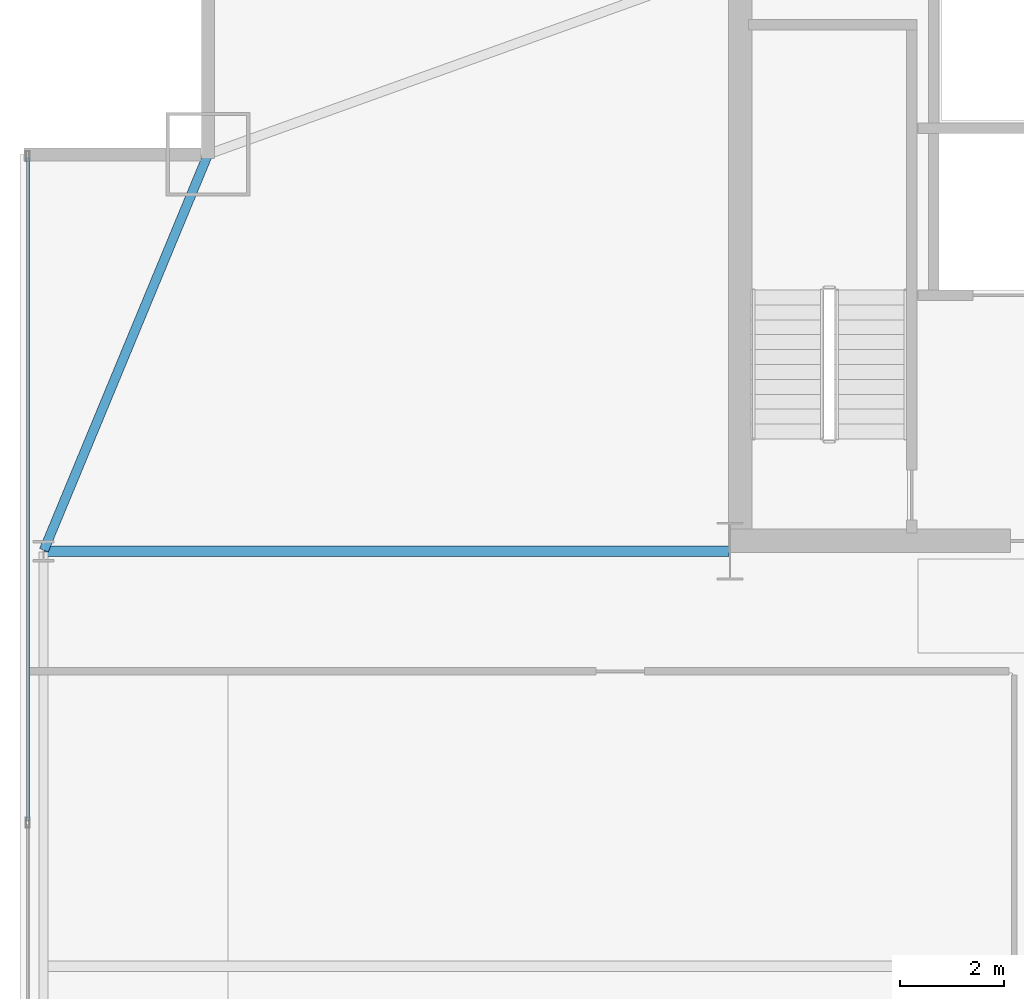
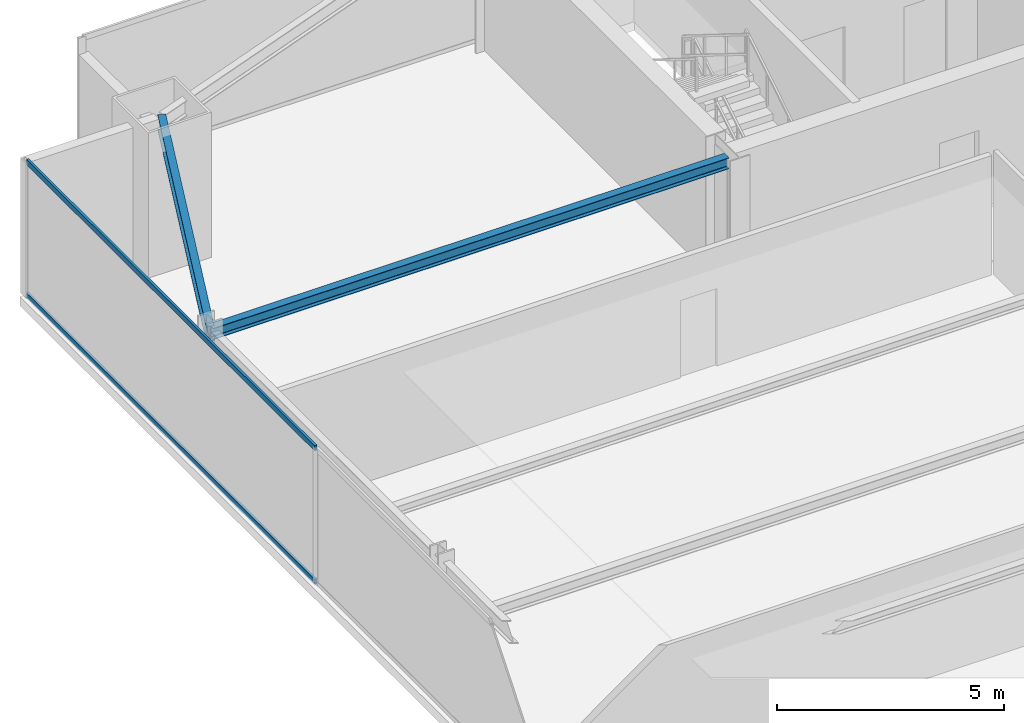
# One storey, part 19 of 31: 2 beams, 2 members, 1 element without a shape of its own.
"""IFC4 building model written with IfcOpenShell, lengths in metres."""

from ifc_helpers import new_model, si_unit, direction, frame, origin, origin_2d, place, context, subcontext, project, spatial, hollow_rectangle, i_section, extrude, source, transform, mapped, material, layer, layer_set, material_profile, profile_set, type_object, type_shapes, element, aggregate, save


model = new_model("IFC4")

# Units and contexts
model_context = context("Model", 3, precision=1e-05, world=origin(), true_north=direction((0.0, 1.0)))
body_context = subcontext(model_context, "Body", "Model", "MODEL_VIEW")
ifc_project = project(units=[si_unit("LENGTHUNIT", "METRE"), si_unit("AREAUNIT", "SQUARE_METRE"), si_unit("VOLUMEUNIT", "CUBIC_METRE"), si_unit("PLANEANGLEUNIT", "RADIAN"), si_unit("MASSUNIT", "GRAM", prefix="KILO")], contexts=[model_context])

# Site, building, storey
site_placement = place(None, origin())
site = spatial("IfcSite", under=ifc_project, at=site_placement, CompositionType="ELEMENT")
building_placement = place(site_placement, origin())
building = spatial("IfcBuilding", under=site, at=building_placement, Name="Varnel Quay Broadcast Tower", CompositionType="ELEMENT")
storey_placement = place(building_placement, frame((0.0, 0.0, 35.39990234375)))
storey = spatial("IfcBuildingStorey", under=building, at=storey_placement, Name="L07", CompositionType="ELEMENT", Elevation=35.39990234375)

# Beams
ifc_material_1 = material(Name="Structural Steel CSA G40.21 350W", Category="steel")
ifc_material_profile_1 = material_profile(ifc_material_1, i_section(OverallWidth=0.180908203125, OverallDepth=0.4169921875, WebThickness=0.010986328125, FlangeThickness=0.018310546875, FilletRadius=0.011962890625, at=origin_2d()), Name="W410X85")
ifc_profile_set_1 = profile_set([ifc_material_profile_1], Name="Structural Steel CSA G40.21 350W")
beam_type_1 = type_object("IfcBeamType", Name="Beam_W410X85", PredefinedType="SPANDREL", material=ifc_profile_set_1)
shared_shape_1 = source(origin(), body_context, "Body", "SweptSolid", [
    extrude(i_section(OverallWidth=0.180908203125, OverallDepth=0.4169921875, WebThickness=0.010986328125, FlangeThickness=0.018310546875, FilletRadius=0.011962890625, at=origin_2d()), origin(), (0.0, 0.0, 1.0), 8.186767578125),
])
type_shapes(beam_type_1, [shared_shape_1])
beam_1_placement = place(storey_placement, frame((2.457763671875, 35.618408203125, 3.441650390625), z_axis=(0.382874132092, 0.923800519038, 0.0), x_axis=(-0.923800519038, 0.382874132092, 0.0)))
element("IfcBeam", 1, at=beam_1_placement, inside=storey, type_object=beam_type_1, Name="L07 West Spandrel TC-W3-MC-NW", PredefinedType="SPANDREL", context=body_context, shape_type="MappedRepresentation", body=[
    mapped(shared_shape_1, transform((0.0, 0.0, 0.0), x_axis=(1.0, 0.0, 0.0), y_axis=(0.0, 1.0, 0.0), z_axis=(0.0, 0.0, 1.0), scale=1.0)),
])
ifc_material_profile_2 = material_profile(ifc_material_1, i_section(OverallWidth=0.202880859375, OverallDepth=0.302978515625, WebThickness=0.007568359375, FlangeThickness=0.01318359375, FilletRadius=0.011962890625, at=origin_2d()), Name="W310X60")
ifc_profile_set_2 = profile_set([ifc_material_profile_2], Name="Structural Steel CSA G40.21 350W")
beam_type_2 = type_object("IfcBeamType", Name="Beam_W310X60", PredefinedType="JOIST", material=ifc_profile_set_2)
shared_shape_2 = source(origin(), body_context, "Body", "SweptSolid", [
    extrude(i_section(OverallWidth=0.202880859375, OverallDepth=0.302978515625, WebThickness=0.007568359375, FlangeThickness=0.01318359375, FilletRadius=0.011962890625, at=origin_2d()), origin(), (0.0, 0.0, 1.0), 13.110107421875),
])
type_shapes(beam_type_2, [shared_shape_2])
beam_2_placement = place(storey_placement, frame((2.469970703125, 35.60009765625, 3.49853515625), z_axis=(1.0, 0.0, 0.0), x_axis=(0.0, 1.0, 0.0)))
element("IfcBeam", 2, at=beam_2_placement, inside=storey, type_object=beam_type_2, Name="L07 West Core Tie Joist", PredefinedType="JOIST", context=body_context, shape_type="MappedRepresentation", body=[
    mapped(shared_shape_2, transform((0.0, 0.0, 0.0), x_axis=(1.0, 0.0, 0.0), y_axis=(0.0, 1.0, 0.0), z_axis=(0.0, 0.0, 1.0), scale=1.0)),
])

# Curtain wall, members
ifc_material_2 = material(Name="Anodised Bronze Aluminium 6063-T6", Category="aluminium")
ifc_layer = layer(ifc_material_2, 0.18994140625, Name="Anodised Bronze Aluminium 6063-T6")
ifc_layer_set = layer_set([ifc_layer], Name="Anodised Bronze Aluminium 6063-T6")
curtain_wall_type = type_object("IfcCurtainWallType", Name="CW_LowerTower", PredefinedType="NOTDEFINED", material=ifc_layer_set)
curtain_wall_placement = place(storey_placement, origin())
curtain_wall = element("IfcCurtainWall", 3, at=curtain_wall_placement, inside=storey, type_object=curtain_wall_type, Name="L07 West Unitised Curtain Wall", PredefinedType="NOTDEFINED")
ifc_material_profile_3 = material_profile(ifc_material_2, hollow_rectangle(XDim=0.06005859375, YDim=0.14501953125, WallThickness=0.00341796875, at=origin_2d()), Name="ALU60X145X3.5")
ifc_profile_set_3 = profile_set([ifc_material_profile_3], Name="Anodised Bronze Aluminium 6063-T6")
member_type = type_object("IfcMemberType", Name="Tran_CWS-02", PredefinedType="USERDEFINED", material=ifc_profile_set_3)
shared_shape_3 = source(origin(), body_context, "Body", "SweptSolid", [
    extrude(hollow_rectangle(XDim=0.06005859375, YDim=0.14501953125, WallThickness=0.00341796875, at=origin_2d()), origin(), (0.0, 0.0, 1.0), 12.69482421875),
])
type_shapes(member_type, [shared_shape_3])
member_1_placement = place(storey_placement, frame((2.14990234375, 30.43505859375, 0.030029296875), z_axis=(0.0, 1.0, 0.0), x_axis=(-1.0, 0.0, 0.0)))
member_1 = element("IfcMember", 4, at=member_1_placement, type_object=member_type, Name="CWS-02 transom 3.1", ObjectType="TRANSOM", PredefinedType="USERDEFINED", context=body_context, shape_type="MappedRepresentation", body=[
    mapped(shared_shape_3, transform((0.0, 0.0, 0.0), x_axis=(1.0, 0.0, 0.0), y_axis=(0.0, 1.0, 0.0), z_axis=(0.0, 0.0, 1.0), scale=1.0)),
])
member_2_placement = place(storey_placement, frame((2.14990234375, 30.43505859375, 3.6201171875), z_axis=(0.0, 1.0, 0.0), x_axis=(-1.0, 0.0, 0.0)))
member_2 = element("IfcMember", 5, at=member_2_placement, type_object=member_type, Name="CWS-02 transom 3.2", ObjectType="TRANSOM", PredefinedType="USERDEFINED", context=body_context, shape_type="MappedRepresentation", body=[
    mapped(shared_shape_3, transform((0.0, 0.0, 0.0), x_axis=(1.0, 0.0, 0.0), y_axis=(0.0, 1.0, 0.0), z_axis=(0.0, 0.0, 1.0), scale=1.0)),
])
aggregate(curtain_wall, [member_1, member_2])

save(model, "model.ifc")
